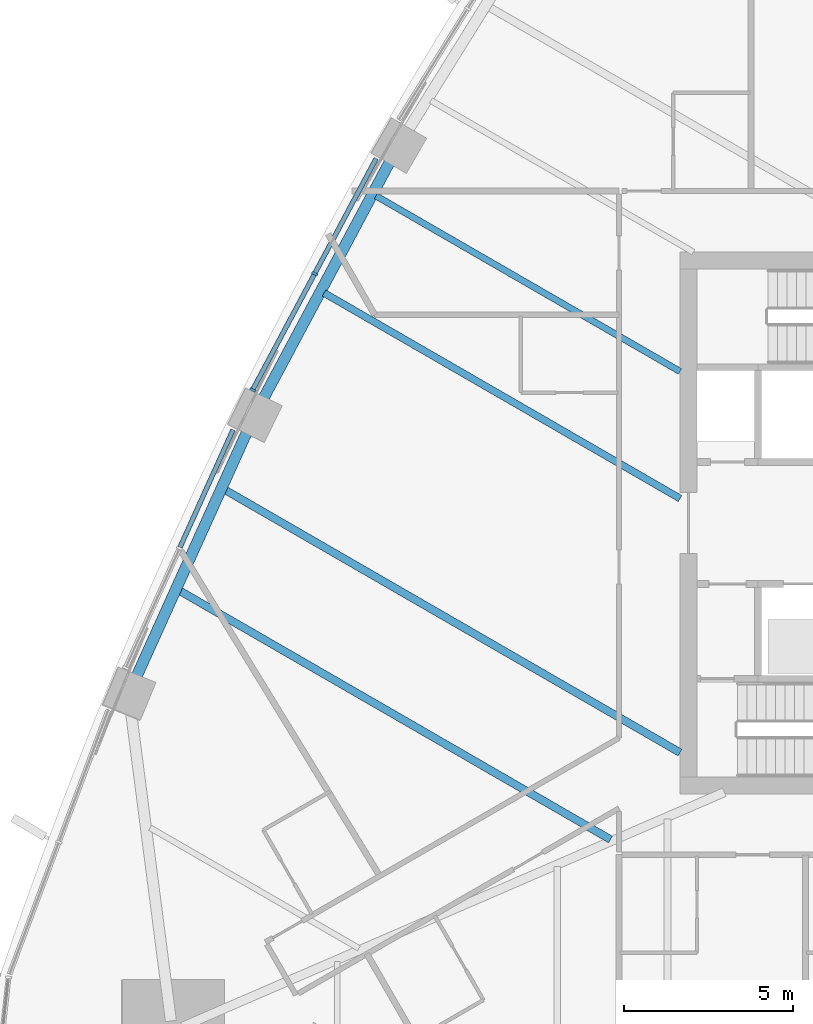
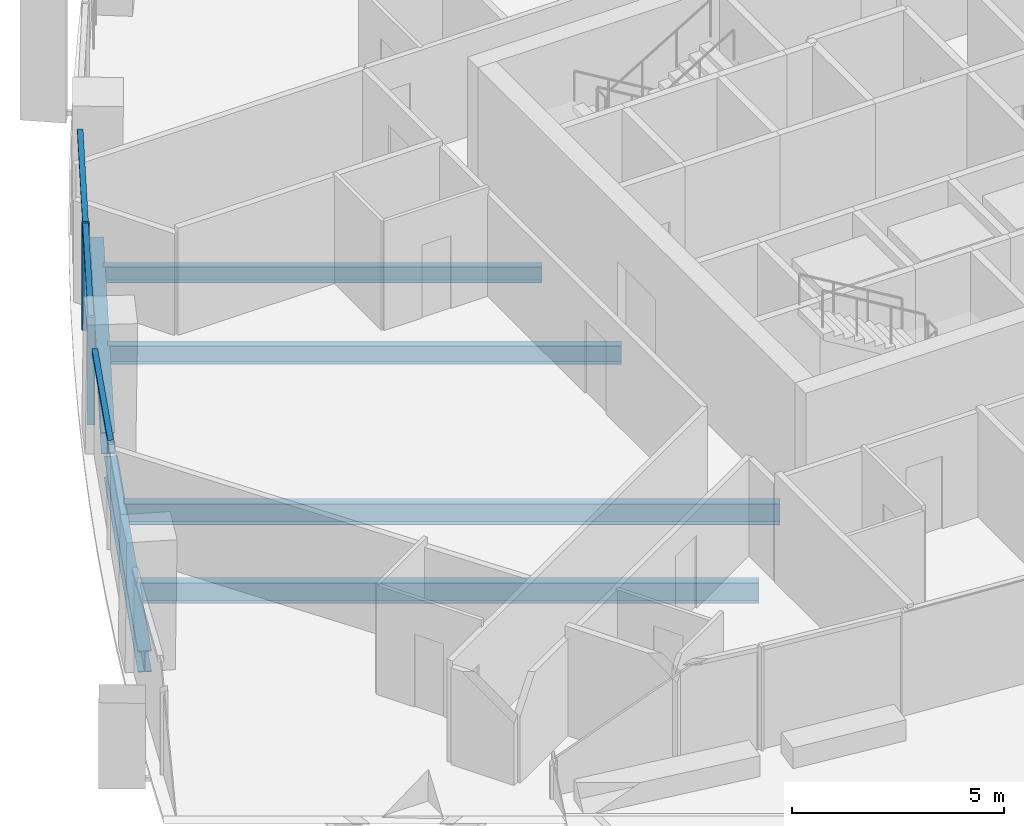
# One storey, part 3 of 25: 6 beams, 5 members, 2 elements without a shape of their own.
"""IFC4 building model written with IfcOpenShell, lengths in metres."""

from ifc_helpers import new_model, si_unit, direction, frame, origin, origin_2d, place, context, subcontext, project, spatial, rectangle, i_section, extrude, material, layer, layer_set, material_profile, profile_set, type_object, element, aggregate, save


model = new_model("IFC4")

# Units and contexts
model_context = context("Model", 3, precision=1e-05, world=origin(), true_north=direction((0.0, 1.0)))
body_context = subcontext(model_context, "Body", "Model", "MODEL_VIEW")
ifc_project = project(units=[si_unit("LENGTHUNIT", "METRE"), si_unit("AREAUNIT", "SQUARE_METRE"), si_unit("VOLUMEUNIT", "CUBIC_METRE"), si_unit("PLANEANGLEUNIT", "RADIAN"), si_unit("MASSUNIT", "GRAM", prefix="KILO")], contexts=[model_context])

# Site, building, storey
site_placement = place(None, origin())
site = spatial("IfcSite", under=ifc_project, at=site_placement, CompositionType="ELEMENT")
building_placement = place(site_placement, origin())
building = spatial("IfcBuilding", under=site, at=building_placement, Name="Sierra Prisma Convention Tower", CompositionType="ELEMENT")
storey_placement = place(building_placement, frame((0.0, 0.0, 88.699951171875)))
storey = spatial("IfcBuildingStorey", under=building, at=storey_placement, Name="L18", CompositionType="ELEMENT", Elevation=88.699951171875)

# Curtain wall, members
ifc_material_1 = material(Name="Aluminium and glass curtain wall", Category="aluminium")
ifc_layer = layer(ifc_material_1, 0.179931640625)
ifc_layer_set = layer_set([ifc_layer], Name="CW-1 Plain shaft curtain wall")
curtain_wall_type = type_object("IfcCurtainWallType", Name="CW-1 Plain shaft curtain wall", PredefinedType="NOTDEFINED", material=ifc_layer_set)
curtain_wall_1_placement = place(storey_placement, origin())
curtain_wall_1 = element("IfcCurtainWall", 1, at=curtain_wall_1_placement, inside=storey, type_object=curtain_wall_type, Name="CW-1 NW4 L18", PredefinedType="NOTDEFINED")
ifc_material_2 = material(Name="Aluminium 6063-T6 bronze anodised", Category="aluminium")
ifc_material_profile_1 = material_profile(ifc_material_2, rectangle(XDim=0.179931640625, YDim=0.070068359375, at=origin_2d()), Name="ALU MULLION 70x180")
ifc_profile_set_1 = profile_set([ifc_material_profile_1], Name="Aluminium 6063-T6 bronze anodised")
member_type_1 = type_object("IfcMemberType", Name="CW mullion bronze", PredefinedType="MULLION", material=ifc_profile_set_1)
member_1_placement = place(storey_placement, frame((-21.79052734375, 7.360107421875, 0.0), z_axis=(0.0, 0.0, 1.0), x_axis=(0.882149618125, -0.470969267832, 0.0)))
member_1 = element("IfcMember", 2, at=member_1_placement, type_object=member_type_1, Name="CW-1 mullion NW4.2", PredefinedType="MULLION", context=body_context, shape_type="SweptSolid", body=[
    extrude(rectangle(XDim=0.179931640625, YDim=0.070068359375, at=origin_2d()), origin(), (0.0, 0.0, 1.0), 3.10009765625),
])
member_2_placement = place(storey_placement, frame((-23.621826171875, 3.929931640625, 0.0), z_axis=(0.0, 0.0, 1.0), x_axis=(0.882149618125, -0.470969267832, 0.0)))
member_2 = element("IfcMember", 3, at=member_2_placement, type_object=member_type_1, Name="CW-1 mullion NW4.3", PredefinedType="MULLION", context=body_context, shape_type="SweptSolid", body=[
    extrude(rectangle(XDim=0.179931640625, YDim=0.070068359375, at=origin_2d()), origin(), (0.0, 0.0, 1.0), 3.10009765625),
])
ifc_material_3 = material(Name="Aluminium 6063-T6 bronze anodised", Category="aluminium")
ifc_material_profile_2 = material_profile(ifc_material_3, rectangle(XDim=0.139892578125, YDim=0.1201171875, at=origin_2d()), Name="ALU TRANSOM 120x140")
ifc_profile_set_2 = profile_set([ifc_material_profile_2], Name="Aluminium 6063-T6 bronze anodised")
member_type_2 = type_object("IfcMemberType", Name="CW transom bronze", PredefinedType="USERDEFINED", material=ifc_profile_set_2)
member_3_placement = place(storey_placement, frame((-19.9755859375, 10.759765625, 3.0400390625), z_axis=(-0.470939947084, -0.8821652715, 0.0), x_axis=(0.8821652715, -0.470939947084, 0.0)))
member_3 = element("IfcMember", 4, at=member_3_placement, type_object=member_type_2, Name="CW-1 transom NW4.1", ObjectType="TRANSOM", PredefinedType="USERDEFINED", context=body_context, shape_type="SweptSolid", body=[
    extrude(rectangle(XDim=0.139892578125, YDim=0.1201171875, at=origin_2d()), origin(), (0.0, 0.0, 1.0), 3.818603515625),
])
member_4_placement = place(storey_placement, frame((-21.806884765625, 7.329345703125, 3.0400390625), z_axis=(-0.470989699493, -0.882138709598, 0.0), x_axis=(0.882138709598, -0.470989699493, 0.0)))
member_4 = element("IfcMember", 5, at=member_4_placement, type_object=member_type_2, Name="CW-1 transom NW4.2", ObjectType="TRANSOM", PredefinedType="USERDEFINED", context=body_context, shape_type="SweptSolid", body=[
    extrude(rectangle(XDim=0.139892578125, YDim=0.1201171875, at=origin_2d()), origin(), (0.0, 0.0, 1.0), 3.81884765625),
])
aggregate(curtain_wall_1, [member_1, member_2, member_3, member_4])

# Curtain wall, member
curtain_wall_2_placement = place(storey_placement, origin())
curtain_wall_2 = element("IfcCurtainWall", 6, at=curtain_wall_2_placement, inside=storey, type_object=curtain_wall_type, Name="CW-1 NW5 L18", PredefinedType="NOTDEFINED")
member_5_placement = place(storey_placement, frame((-24.20263671875, 2.74755859375, 3.0400390625), z_axis=(-0.411392307709, -0.911458374891, 0.0), x_axis=(0.911458374891, -0.411392307709, 0.0)))
member_5 = element("IfcMember", 7, at=member_5_placement, type_object=member_type_2, Name="CW-1 transom NW5.1", ObjectType="TRANSOM", PredefinedType="USERDEFINED", context=body_context, shape_type="SweptSolid", body=[
    extrude(rectangle(XDim=0.139892578125, YDim=0.1201171875, at=origin_2d()), origin(), (0.0, 0.0, 1.0), 3.80224609375),
])
aggregate(curtain_wall_2, [member_5])

# Beams
ifc_material_4 = material(Name="Steel ASTM A992 Gr 50", Category="steel")
ifc_material_profile_3 = material_profile(ifc_material_4, i_section(OverallWidth=0.18994140625, OverallDepth=0.45703125, WebThickness=0.009033203125, FlangeThickness=0.014404296875, at=origin_2d()), Name="W460x74")
ifc_profile_set_3 = profile_set([ifc_material_profile_3], Name="Steel ASTM A992 Gr 50")
beam_type_1 = type_object("IfcBeamType", Name="Floor joist W460x74", PredefinedType="JOIST", material=ifc_profile_set_3)
beam_1_placement = place(storey_placement, frame((-19.981689453125, 9.66015625, -0.37841796875), z_axis=(0.866026821189, -0.499997544974, 0.0), x_axis=(0.499997544974, 0.866026821189, 0.0)))
element("IfcBeam", 8, at=beam_1_placement, inside=storey, type_object=beam_type_1, Name="Floor joist L18 NW09", PredefinedType="JOIST", context=body_context, shape_type="SweptSolid", body=[
    extrude(i_section(OverallWidth=0.18994140625, OverallDepth=0.45703125, WebThickness=0.009033203125, FlangeThickness=0.014404296875, at=origin_2d()), origin(), (0.0, 0.0, 1.0), 10.37109375),
])
ifc_material_5 = material(Name="Steel ASTM A992 Gr 50", Category="steel")
ifc_material_profile_4 = material_profile(ifc_material_5, i_section(OverallWidth=0.208984375, OverallDepth=0.532958984375, WebThickness=0.01025390625, FlangeThickness=0.015625, at=origin_2d()), Name="W530x92")
ifc_profile_set_4 = profile_set([ifc_material_profile_4], Name="Steel ASTM A992 Gr 50")
beam_type_2 = type_object("IfcBeamType", Name="Floor joist W530x92", PredefinedType="JOIST", material=ifc_profile_set_4)
beam_2_placement = place(storey_placement, frame((-21.51318359375, 6.7919921875, -0.41650390625), z_axis=(0.866024161028, -0.500002152512, 0.0), x_axis=(0.500002152512, 0.866024161028, 0.0)))
element("IfcBeam", 9, at=beam_2_placement, inside=storey, type_object=beam_type_2, Name="Floor joist L18 NW10", PredefinedType="JOIST", context=body_context, shape_type="SweptSolid", body=[
    extrude(i_section(OverallWidth=0.208984375, OverallDepth=0.532958984375, WebThickness=0.01025390625, FlangeThickness=0.015625, at=origin_2d()), origin(), (0.0, 0.0, 1.0), 12.1396484375),
])
ifc_material_6 = material(Name="Steel ASTM A992 Gr 50", Category="steel")
ifc_material_profile_5 = material_profile(ifc_material_6, i_section(OverallWidth=0.22802734375, OverallDepth=0.60302734375, WebThickness=0.010498046875, FlangeThickness=0.014892578125, at=origin_2d()), Name="W610x101")
ifc_profile_set_5 = profile_set([ifc_material_profile_5], Name="Steel ASTM A992 Gr 50")
beam_type_3 = type_object("IfcBeamType", Name="Floor joist W610x101", PredefinedType="JOIST", material=ifc_profile_set_5)
beam_3_placement = place(storey_placement, frame((-24.439697265625, 0.9765625, -0.451416015625), z_axis=(0.866029184285, -0.499993451924, 0.0), x_axis=(0.499993451924, 0.866029184285, 0.0)))
element("IfcBeam", 10, at=beam_3_placement, inside=storey, type_object=beam_type_3, Name="Floor joist L18 NW12", PredefinedType="JOIST", context=body_context, shape_type="SweptSolid", body=[
    extrude(i_section(OverallWidth=0.22802734375, OverallDepth=0.60302734375, WebThickness=0.010498046875, FlangeThickness=0.014892578125, at=origin_2d()), origin(), (0.0, 0.0, 1.0), 15.518798828125),
])
beam_4_placement = place(storey_placement, frame((-25.783203125, -2.0, -0.451416015625), z_axis=(0.866016594453, -0.500015257899, 0.0), x_axis=(0.500015257899, 0.866016594453, 0.0)))
element("IfcBeam", 11, at=beam_4_placement, inside=storey, type_object=beam_type_3, Name="Floor joist L18 NW13", PredefinedType="JOIST", context=body_context, shape_type="SweptSolid", body=[
    extrude(i_section(OverallWidth=0.22802734375, OverallDepth=0.60302734375, WebThickness=0.010498046875, FlangeThickness=0.014892578125, at=origin_2d()), origin(), (0.0, 0.0, 1.0), 14.69970703125),
])
ifc_material_7 = material(Name="Steel ASTM A992 Gr 50", Category="steel")
ifc_material_profile_6 = material_profile(ifc_material_7, i_section(OverallWidth=0.324951171875, OverallDepth=0.615966796875, WebThickness=0.013916015625, FlangeThickness=0.021484375, at=origin_2d()), Name="W610x174")
ifc_profile_set_6 = profile_set([ifc_material_profile_6], Name="Steel ASTM A992 Gr 50")
beam_type_4 = type_object("IfcBeamType", Name="Spandrel beam W610x174", PredefinedType="BEAM", material=ifc_profile_set_6)
for number, where, z_axis, x_axis, name in (
    (12, (-19.539794921875, 10.72705078125, -0.4580078125), (-0.470957061601, -0.882156134779, 0.0), (0.882156134779, -0.470957061601, 0.0), "Spandrel L18-16"),
    (13, (-23.765625, 2.743896484375, -0.4580078125), (-0.411406833039, -0.911451818654, 0.0), (0.911451818654, -0.411406833039, 0.0), "Spandrel L18-17"),
):
    element("IfcBeam", number, at=place(storey_placement, frame(where, z_axis=z_axis, x_axis=x_axis)), inside=storey, type_object=beam_type_4, Name=name, PredefinedType="BEAM", context=body_context, shape_type="SweptSolid", body=[
        extrude(i_section(OverallWidth=0.324951171875, OverallDepth=0.615966796875, WebThickness=0.013916015625, FlangeThickness=0.021484375, at=origin_2d()), origin(), (0.0, 0.0, 1.0), 8.072998046875),
    ])

save(model, "model.ifc")
